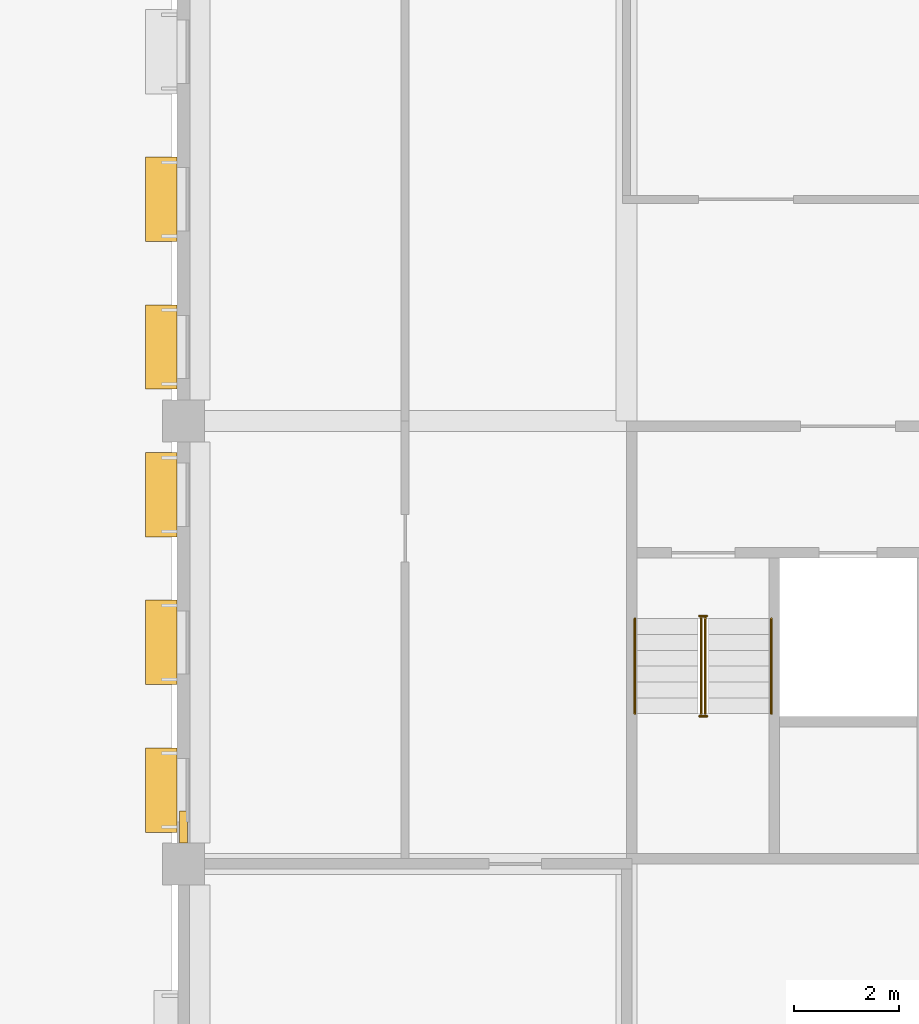
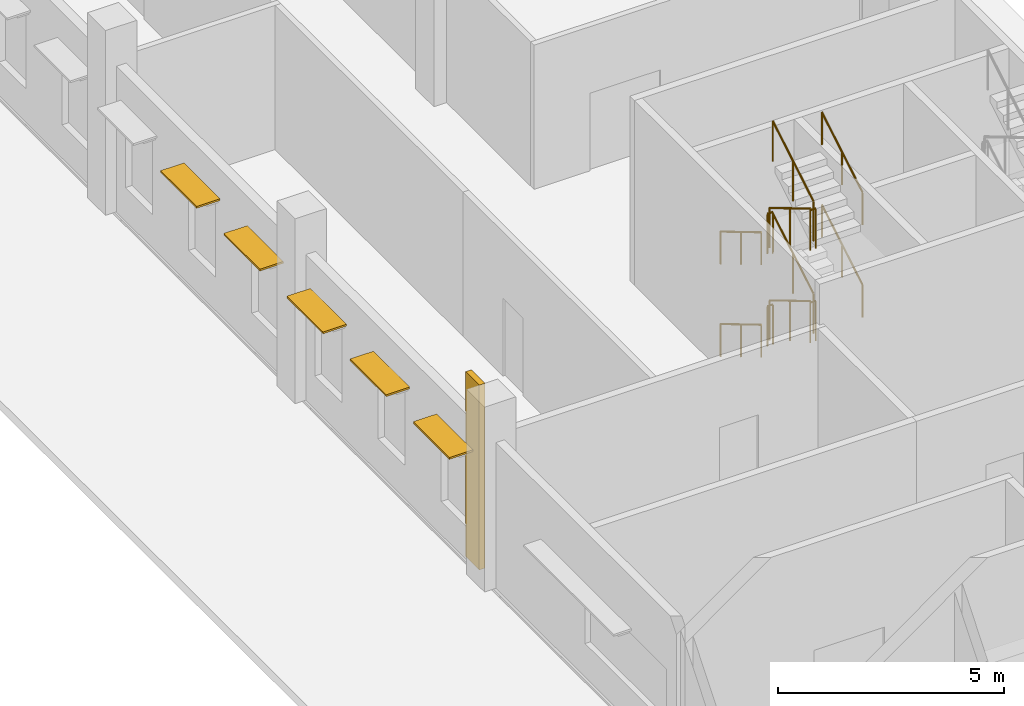
# One storey, part 61 of 101: 12 railings, 6 shading devices.
"""IFC4 building model written with IfcOpenShell, lengths in metres."""

from ifc_helpers import new_model, si_unit, direction, frame, origin, origin_2d, place, context, subcontext, project, spatial, rectangle, circle, extrude, material, material_profile, profile_set, type_object, element, save


model = new_model("IFC4")

# Units and contexts
model_context = context("Model", 3, precision=1e-05, world=origin(), true_north=direction((0.0, 1.0)))
body_context = subcontext(model_context, "Body", "Model", "MODEL_VIEW")
ifc_project = project(units=[si_unit("LENGTHUNIT", "METRE"), si_unit("AREAUNIT", "SQUARE_METRE"), si_unit("VOLUMEUNIT", "CUBIC_METRE"), si_unit("PLANEANGLEUNIT", "RADIAN"), si_unit("MASSUNIT", "GRAM", prefix="KILO")], contexts=[model_context])

# Site, building, storey
site_placement = place(None, origin())
site = spatial("IfcSite", under=ifc_project, at=site_placement, CompositionType="ELEMENT")
building_placement = place(site_placement, origin())
building = spatial("IfcBuilding", under=site, at=building_placement, Name="Almond Square Museum", CompositionType="ELEMENT")
storey_placement = place(building_placement, frame((0.0, 0.0, 5.5)))
storey = spatial("IfcBuildingStorey", under=building, at=storey_placement, Name="L01", CompositionType="ELEMENT", Elevation=5.5)

# Railings
ifc_material_1 = material(Name="Stainless steel and laminated glass", Category="steel")
railing_type_1 = type_object("IfcRailingType", Name="Stair guard 1100 steel and glass", PredefinedType="GUARDRAIL", material=ifc_material_1)
railing_1_placement = place(storey_placement, frame((15.81005859375, 21.449951171875, 0.178466796875)))
element("IfcRailing", 1, at=railing_1_placement, inside=storey, type_object=railing_type_1, Name="L01 ST-21 stair guard 1", PredefinedType="GUARDRAIL", context=body_context, shape_type="SweptSolid", body=[
    extrude(circle(Radius=0.02392578125, at=origin_2d()), frame((0.0, 0.0, 1.076171875), z_axis=(0.0, -0.859277029364, 0.511510495305), x_axis=(1.0, 0.0, 0.0)), (0.0, 0.0, 1.0), 2.0947265625),
    extrude(circle(Radius=0.02099609375, at=origin_2d()), origin(), (0.0, 0.0, 1.0), 1.052001953125),
    extrude(circle(Radius=0.02099609375, at=origin_2d()), frame((0.0, -0.89990234375, 0.53564453125)), (0.0, 0.0, 1.0), 1.052001953125),
    extrude(circle(Radius=0.02099609375, at=origin_2d()), frame((0.0, -1.800048828125, 1.071533203125)), (0.0, 0.0, 1.0), 1.052001953125),
])
railing_2_placement = place(storey_placement, frame((15.780029296875, 19.60009765625, 1.25)))
element("IfcRailing", 2, at=railing_2_placement, inside=storey, type_object=railing_type_1, Name="L01 ST-21 stair guard 2", PredefinedType="GUARDRAIL", context=body_context, shape_type="SweptSolid", body=[
    extrude(circle(Radius=0.02392578125, at=origin_2d()), frame((0.0, 0.0, 1.076171875), z_axis=(1.0, 0.0, 0.0), x_axis=(0.0, 1.0, 0.0)), (0.0, 0.0, 1.0), 0.139892578125),
    extrude(circle(Radius=0.02099609375, at=origin_2d()), origin(), (0.0, 0.0, 1.0), 1.052001953125),
    extrude(circle(Radius=0.02099609375, at=origin_2d()), frame((0.139892578125, 0.0, 0.0)), (0.0, 0.0, 1.0), 1.052001953125),
])
railing_3_placement = place(storey_placement, frame((15.889892578125, 19.64990234375, 1.428466796875)))
element("IfcRailing", 3, at=railing_3_placement, inside=storey, type_object=railing_type_1, Name="L01 ST-21 stair guard 3", PredefinedType="GUARDRAIL", context=body_context, shape_type="SweptSolid", body=[
    extrude(circle(Radius=0.02392578125, at=origin_2d()), frame((0.0, 0.0, 1.076171875), z_axis=(0.0, 0.859277029364, 0.511510495305), x_axis=(-1.0, 0.0, 0.0)), (0.0, 0.0, 1.0), 2.0947265625),
    extrude(circle(Radius=0.02099609375, at=origin_2d()), origin(), (0.0, 0.0, 1.0), 1.052001953125),
    extrude(circle(Radius=0.02099609375, at=origin_2d()), frame((0.0, 0.89990234375, 0.53564453125)), (0.0, 0.0, 1.0), 1.052001953125),
    extrude(circle(Radius=0.02099609375, at=origin_2d()), frame((0.0, 1.800048828125, 1.071533203125)), (0.0, 0.0, 1.0), 1.052001953125),
])
railing_4_placement = place(storey_placement, frame((15.780029296875, 21.5, 2.5)))
element("IfcRailing", 4, at=railing_4_placement, inside=storey, type_object=railing_type_1, Name="L01 ST-21 stair guard 4", PredefinedType="GUARDRAIL", context=body_context, shape_type="SweptSolid", body=[
    extrude(circle(Radius=0.02392578125, at=origin_2d()), frame((0.0, 0.0, 1.076171875), z_axis=(1.0, 0.0, 0.0), x_axis=(0.0, 1.0, 0.0)), (0.0, 0.0, 1.0), 0.139892578125),
    extrude(circle(Radius=0.02099609375, at=origin_2d()), origin(), (0.0, 0.0, 1.0), 1.052001953125),
    extrude(circle(Radius=0.02099609375, at=origin_2d()), frame((0.139892578125, 0.0, 0.0)), (0.0, 0.0, 1.0), 1.052001953125),
])
railing_5_placement = place(storey_placement, frame((15.81005859375, 21.449951171875, 2.678466796875)))
element("IfcRailing", 5, at=railing_5_placement, inside=storey, type_object=railing_type_1, Name="L01 ST-21 stair guard 5", PredefinedType="GUARDRAIL", context=body_context, shape_type="SweptSolid", body=[
    extrude(circle(Radius=0.02392578125, at=origin_2d()), frame((0.0, 0.0, 1.076171875), z_axis=(0.0, -0.859277029364, 0.511510495305), x_axis=(1.0, 0.0, 0.0)), (0.0, 0.0, 1.0), 2.0947265625),
    extrude(circle(Radius=0.02099609375, at=origin_2d()), origin(), (0.0, 0.0, 1.0), 1.052001953125),
    extrude(circle(Radius=0.02099609375, at=origin_2d()), frame((0.0, -0.89990234375, 0.53564453125)), (0.0, 0.0, 1.0), 1.052001953125),
    extrude(circle(Radius=0.02099609375, at=origin_2d()), frame((0.0, -1.800048828125, 1.071533203125)), (0.0, 0.0, 1.0), 1.052001953125),
])
railing_6_placement = place(storey_placement, frame((15.780029296875, 19.60009765625, 3.75)))
element("IfcRailing", 6, at=railing_6_placement, inside=storey, type_object=railing_type_1, Name="L01 ST-21 stair guard 6", PredefinedType="GUARDRAIL", context=body_context, shape_type="SweptSolid", body=[
    extrude(circle(Radius=0.02392578125, at=origin_2d()), frame((0.0, 0.0, 1.076171875), z_axis=(1.0, 0.0, 0.0), x_axis=(0.0, 1.0, 0.0)), (0.0, 0.0, 1.0), 0.139892578125),
    extrude(circle(Radius=0.02099609375, at=origin_2d()), origin(), (0.0, 0.0, 1.0), 1.052001953125),
    extrude(circle(Radius=0.02099609375, at=origin_2d()), frame((0.139892578125, 0.0, 0.0)), (0.0, 0.0, 1.0), 1.052001953125),
])
railing_7_placement = place(storey_placement, frame((15.889892578125, 19.64990234375, 3.928466796875)))
element("IfcRailing", 7, at=railing_7_placement, inside=storey, type_object=railing_type_1, Name="L01 ST-21 stair guard 7", PredefinedType="GUARDRAIL", context=body_context, shape_type="SweptSolid", body=[
    extrude(circle(Radius=0.02392578125, at=origin_2d()), frame((0.0, 0.0, 1.076171875), z_axis=(0.0, 0.859277029364, 0.511510495305), x_axis=(-1.0, 0.0, 0.0)), (0.0, 0.0, 1.0), 2.0947265625),
    extrude(circle(Radius=0.02099609375, at=origin_2d()), origin(), (0.0, 0.0, 1.0), 1.052001953125),
    extrude(circle(Radius=0.02099609375, at=origin_2d()), frame((0.0, 0.89990234375, 0.53564453125)), (0.0, 0.0, 1.0), 1.052001953125),
    extrude(circle(Radius=0.02099609375, at=origin_2d()), frame((0.0, 1.800048828125, 1.071533203125)), (0.0, 0.0, 1.0), 1.052001953125),
])
railing_8_placement = place(storey_placement, frame((15.780029296875, 21.5, 0.0)))
element("IfcRailing", 8, at=railing_8_placement, inside=storey, type_object=railing_type_1, Name="L01 ST-21 stair guard 8", PredefinedType="GUARDRAIL", context=body_context, shape_type="SweptSolid", body=[
    extrude(circle(Radius=0.02392578125, at=origin_2d()), frame((0.0, 0.0, 1.076171875), z_axis=(1.0, 0.0, 0.0), x_axis=(0.0, 1.0, 0.0)), (0.0, 0.0, 1.0), 0.139892578125),
    extrude(circle(Radius=0.02099609375, at=origin_2d()), origin(), (0.0, 0.0, 1.0), 1.052001953125),
    extrude(circle(Radius=0.02099609375, at=origin_2d()), frame((0.139892578125, 0.0, 0.0)), (0.0, 0.0, 1.0), 1.052001953125),
])
ifc_material_2 = material(Name="Stainless steel", Category="steel")
railing_type_2 = type_object("IfcRailingType", Name="Stair handrail 900 steel", PredefinedType="HANDRAIL", material=ifc_material_2)
railing_9_placement = place(storey_placement, frame((14.554931640625, 21.449951171875, 0.178466796875)))
element("IfcRailing", 9, at=railing_9_placement, inside=storey, type_object=railing_type_2, Name="L01 ST-21 stair handrail 1", PredefinedType="HANDRAIL", context=body_context, shape_type="SweptSolid", body=[
    extrude(circle(Radius=0.02392578125, at=origin_2d()), frame((0.0, 0.0, 0.8759765625), z_axis=(0.0, -0.859277029364, 0.511510495305), x_axis=(1.0, 0.0, 0.0)), (0.0, 0.0, 1.0), 2.0947265625),
    extrude(circle(Radius=0.02099609375, at=origin_2d()), origin(), (0.0, 0.0, 1.0), 0.851806640625),
    extrude(circle(Radius=0.02099609375, at=origin_2d()), frame((0.0, -0.89990234375, 0.53564453125)), (0.0, 0.0, 1.0), 0.851806640625),
    extrude(circle(Radius=0.02099609375, at=origin_2d()), frame((0.0, -1.800048828125, 1.071533203125)), (0.0, 0.0, 1.0), 0.851806640625),
])
railing_10_placement = place(storey_placement, frame((17.14501953125, 19.64990234375, 1.428466796875)))
element("IfcRailing", 10, at=railing_10_placement, inside=storey, type_object=railing_type_2, Name="L01 ST-21 stair handrail 2", PredefinedType="HANDRAIL", context=body_context, shape_type="SweptSolid", body=[
    extrude(circle(Radius=0.02392578125, at=origin_2d()), frame((0.0, 0.0, 0.8759765625), z_axis=(0.0, 0.859277029364, 0.511510495305), x_axis=(-1.0, 0.0, 0.0)), (0.0, 0.0, 1.0), 2.0947265625),
    extrude(circle(Radius=0.02099609375, at=origin_2d()), origin(), (0.0, 0.0, 1.0), 0.851806640625),
    extrude(circle(Radius=0.02099609375, at=origin_2d()), frame((0.0, 0.89990234375, 0.53564453125)), (0.0, 0.0, 1.0), 0.851806640625),
    extrude(circle(Radius=0.02099609375, at=origin_2d()), frame((0.0, 1.800048828125, 1.071533203125)), (0.0, 0.0, 1.0), 0.851806640625),
])
railing_11_placement = place(storey_placement, frame((14.554931640625, 21.449951171875, 2.678466796875)))
element("IfcRailing", 11, at=railing_11_placement, inside=storey, type_object=railing_type_2, Name="L01 ST-21 stair handrail 3", PredefinedType="HANDRAIL", context=body_context, shape_type="SweptSolid", body=[
    extrude(circle(Radius=0.02392578125, at=origin_2d()), frame((0.0, 0.0, 0.8759765625), z_axis=(0.0, -0.859277029364, 0.511510495305), x_axis=(1.0, 0.0, 0.0)), (0.0, 0.0, 1.0), 2.0947265625),
    extrude(circle(Radius=0.02099609375, at=origin_2d()), origin(), (0.0, 0.0, 1.0), 0.851806640625),
    extrude(circle(Radius=0.02099609375, at=origin_2d()), frame((0.0, -0.89990234375, 0.53564453125)), (0.0, 0.0, 1.0), 0.851806640625),
    extrude(circle(Radius=0.02099609375, at=origin_2d()), frame((0.0, -1.800048828125, 1.071533203125)), (0.0, 0.0, 1.0), 0.851806640625),
])
railing_12_placement = place(storey_placement, frame((17.14501953125, 19.64990234375, 3.928466796875)))
element("IfcRailing", 12, at=railing_12_placement, inside=storey, type_object=railing_type_2, Name="L01 ST-21 stair handrail 4", PredefinedType="HANDRAIL", context=body_context, shape_type="SweptSolid", body=[
    extrude(circle(Radius=0.02392578125, at=origin_2d()), frame((0.0, 0.0, 0.8759765625), z_axis=(0.0, 0.859277029364, 0.511510495305), x_axis=(-1.0, 0.0, 0.0)), (0.0, 0.0, 1.0), 2.0947265625),
    extrude(circle(Radius=0.02099609375, at=origin_2d()), origin(), (0.0, 0.0, 1.0), 0.851806640625),
    extrude(circle(Radius=0.02099609375, at=origin_2d()), frame((0.0, 0.89990234375, 0.53564453125)), (0.0, 0.0, 1.0), 0.851806640625),
    extrude(circle(Radius=0.02099609375, at=origin_2d()), frame((0.0, 1.800048828125, 1.071533203125)), (0.0, 0.0, 1.0), 0.851806640625),
])

# Shading devices
ifc_material_3 = material(Name="Anodised aluminium", Category="aluminium")
ifc_material_profile = material_profile(ifc_material_3, rectangle(XDim=0.60009765625, YDim=0.050048828125, at=origin_2d()))
ifc_profile_set = profile_set([ifc_material_profile], Name="Anodised aluminium")
shading_device_type_1 = type_object("IfcShadingDeviceType", Name="Sun-shade blade 600 x 50", PredefinedType="USERDEFINED", material=ifc_profile_set)
for number, where, z_axis, x_axis, name in (
    (13, (5.576904296875, 25.800048828125, 3.1201171875), (0.0, 1.0, 0.0), (-1.0, 0.0, 0.0), "Sun-shade blade"),
    (14, (5.576904296875, 28.60009765625, 3.1201171875), (0.0, 1.0, 0.0), (-1.0, 0.0, 0.0), "Sun-shade blade"),
):
    element("IfcShadingDevice", number, at=place(storey_placement, frame(where, z_axis=z_axis, x_axis=x_axis)), inside=storey, type_object=shading_device_type_1, Name=name, ObjectType="LOUVRE", PredefinedType="USERDEFINED", context=body_context, shape_type="SweptSolid", body=[
        extrude(rectangle(XDim=0.60009765625, YDim=0.050048828125, at=origin_2d()), origin(), (0.0, 0.0, 1.0), 1.599853515625),
    ])
for number, where, z_axis, x_axis, name in (
    (15, (5.576904296875, 17.39990234375, 3.1201171875), (0.0, 1.0, 0.0), (-1.0, 0.0, 0.0), "Sun-shade blade"),
    (16, (5.576904296875, 20.199951171875, 3.1201171875), (0.0, 1.0, 0.0), (-1.0, 0.0, 0.0), "Sun-shade blade"),
    (17, (5.576904296875, 23.0, 3.1201171875), (0.0, 1.0, 0.0), (-1.0, 0.0, 0.0), "Sun-shade blade"),
):
    element("IfcShadingDevice", number, at=place(storey_placement, frame(where, z_axis=z_axis, x_axis=x_axis)), inside=storey, type_object=shading_device_type_1, Name=name, ObjectType="LOUVRE", PredefinedType="USERDEFINED", context=body_context, shape_type="SweptSolid", body=[
        extrude(rectangle(XDim=0.60009765625, YDim=0.050048828125, at=origin_2d()), origin(), (0.0, 0.0, 1.0), 1.60009765625),
    ])
ifc_material_4 = material(Name="Cedar timber fin", Category="wood")
shading_device_type_2 = type_object("IfcShadingDeviceType", Name="Timber storm fin 150 x 600", PredefinedType="USERDEFINED", material=ifc_material_4)
shading_device_placement = place(storey_placement, frame((6.0, 17.5, 0.0), z_axis=(0.0, 0.0, 1.0), x_axis=(1.0, 0.0, 0.0)))
element("IfcShadingDevice", 18, at=shading_device_placement, inside=storey, type_object=shading_device_type_2, Name="Timber storm fin", ObjectType="FIN", PredefinedType="USERDEFINED", context=body_context, shape_type="SweptSolid", body=[
    extrude(rectangle(XDim=0.14990234375, YDim=0.60009765625, at=origin_2d()), origin(), (0.0, 0.0, 1.0), 5.0),
])

save(model, "model.ifc")
